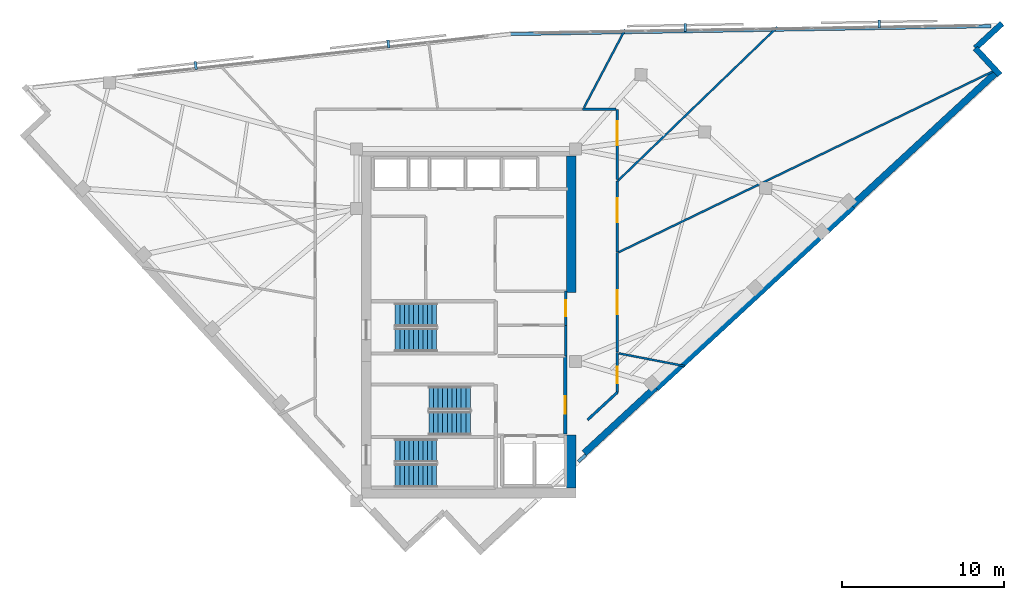
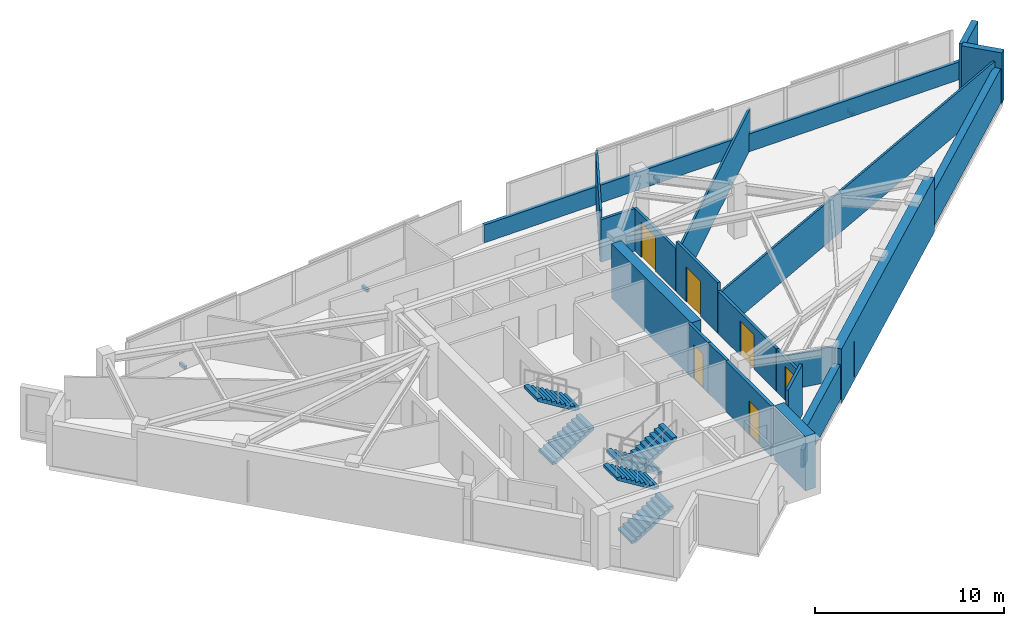
# One storey, part 9 of 11: 22 walls, 6 doors, 6 stair flights, 4 discrete accessories, 6 openings, 3 elements without a shape of their own.
"""IFC4 building model written with IfcOpenShell, lengths in metres."""

from ifc_helpers import new_model, si_unit, direction, frame, frame_2d, origin, origin_2d, place, context, subcontext, project, spatial, polyline, rectangle, outline, extrude, material, layer, layer_set, type_object, element, fill, aggregate, save


model = new_model("IFC4")

# Units and contexts
model_context = context("Model", 3, precision=1e-05, world=origin(), true_north=direction((0.0, 1.0)))
body_context = subcontext(model_context, "Body", "Model", "MODEL_VIEW")
ifc_project = project(units=[si_unit("LENGTHUNIT", "METRE"), si_unit("AREAUNIT", "SQUARE_METRE"), si_unit("VOLUMEUNIT", "CUBIC_METRE"), si_unit("PLANEANGLEUNIT", "RADIAN"), si_unit("MASSUNIT", "GRAM", prefix="KILO")], contexts=[model_context])

# Site, building, storey
site_placement = place(None, origin())
site = spatial("IfcSite", under=ifc_project, at=site_placement, CompositionType="ELEMENT")
building_placement = place(site_placement, origin())
building = spatial("IfcBuilding", under=site, at=building_placement, Name="Narakoshi Arena Tower", CompositionType="ELEMENT")
storey_placement = place(building_placement, frame((0.0, 0.0, 285.3798828125)))
storey = spatial("IfcBuildingStorey", under=building, at=storey_placement, Name="L78", CompositionType="ELEMENT", Elevation=285.3798828125)

# Walls
ifc_material_1 = material(Name="Concrete C50/60", Category="concrete")
ifc_layer_1 = layer(ifc_material_1, 0.60009765625)
ifc_layer_set_1 = layer_set([ifc_layer_1], Name="Concrete C50/60")
wall_type_1 = type_object("IfcWallType", Name="WL-CORE-600", PredefinedType="SHEAR", material=ifc_layer_set_1)
wall_1_placement = place(storey_placement, frame((85.300048828125, 35.5, -0.259765625), z_axis=(0.0, 0.0, 1.0), x_axis=(0.0, 1.0, 0.0)))
element("IfcWall", 1, at=wall_1_placement, inside=storey, type_object=wall_type_1, Name="L78 Central Core Shear Wall CW-APX-E", PredefinedType="SHEAR", context=body_context, shape_type="SweptSolid", body=[
    extrude(rectangle(XDim=3.300048828125, YDim=0.60009765625, at=frame_2d((1.64990234375, 0.0))), origin(), (0.0, 0.0, 1.0), 3.519775390625),
])
wall_2_placement = place(storey_placement, frame((85.300048828125, 47.60009765625, -0.259765625), z_axis=(0.0, 0.0, 1.0), x_axis=(0.0, 1.0, 0.0)))
element("IfcWall", 2, at=wall_2_placement, inside=storey, type_object=wall_type_1, Name="L78 Main Core Shear Wall CW-MN-E", PredefinedType="SHEAR", context=body_context, shape_type="SweptSolid", body=[
    extrude(rectangle(XDim=8.449951171875, YDim=0.60009765625, at=frame_2d((4.22509765625, 0.0))), origin(), (0.0, 0.0, 1.0), 3.519775390625),
])

# Wall, opening, door
ifc_material_2 = material(Name="Gypsum plasterboard fire-rated partition")
ifc_layer_2 = layer(ifc_material_2, 0.1650390625)
ifc_layer_set_2 = layer_set([ifc_layer_2], Name="Gypsum plasterboard fire-rated partition")
wall_type_2 = type_object("IfcWallType", Name="WL-CORR-165", PredefinedType="PARTITIONING", material=ifc_layer_set_2)
wall_3_placement = place(storey_placement, frame((84.949951171875, 45.580078125, 0.0), z_axis=(0.0, 0.0, 1.0), x_axis=(0.0, 1.0, 0.0)))
wall_3 = element("IfcWall", 3, at=wall_3_placement, inside=storey, type_object=wall_type_2, Name="L78 Core Wall CPAS-E", PredefinedType="PARTITIONING", context=body_context, shape_type="SweptSolid", body=[
    extrude(rectangle(XDim=2.119873046875, YDim=0.1650390625, at=frame_2d((1.06005859375, 0.0))), origin(), (0.0, 0.0, 1.0), 3.260009765625),
])
opening_1_placement = place(wall_3_placement, frame((0.56005859375, 0.0, 0.0)))
opening_1 = element("IfcOpeningElement", 4, at=opening_1_placement, cuts=wall_3, Name="Opening D-06", PredefinedType="OPENING", context=body_context, shape_type="SweptSolid", body=[
    extrude(rectangle(XDim=1.0, YDim=2.199951171875, at=frame_2d((0.5, 1.10009765625))), frame((0.0, 0.092529296875, 0.0), z_axis=(0.0, -1.0, 0.0), x_axis=(1.0, 0.0, 0.0)), (0.0, 0.0, 1.0), 0.18505859375),
])
ifc_material_3 = material(Name="Stained oak solid-core timber", Category="wood")
door_type_1 = type_object("IfcDoorType", Name="DR-OFF-1000", OperationType="NOTDEFINED", PredefinedType="DOOR", material=ifc_material_3)
door_1_placement = place(opening_1_placement, frame((1.0, 0.0, 0.0), z_axis=(0.0, 0.0, 1.0), x_axis=(-1.0, 0.0, 0.0)))
door_1 = element("IfcDoor", 5, at=door_1_placement, inside=storey, type_object=door_type_1, Name="DR-L78-007", OperationType="SINGLE_SWING_LEFT", OverallHeight=2.199951171875, OverallWidth=1.0, PredefinedType="DOOR", context=body_context, shape_type="SweptSolid", body=[
    extrude(rectangle(XDim=1.0, YDim=2.199951171875, at=frame_2d((0.5, 1.10009765625))), frame((0.0, 0.02490234375, 0.0), z_axis=(0.0, -1.0, 0.0), x_axis=(1.0, 0.0, 0.0)), (0.0, 0.0, 1.0), 0.050048828125),
])
fill(opening_1, door_1)

# Wall
wall_4_placement = place(storey_placement, frame((86.300048828125, 39.722412109375, 0.0), z_axis=(0.0, 0.0, 1.0), x_axis=(0.734279359658, 0.678847421724, 0.0)))
element("IfcWall", 6, at=wall_4_placement, inside=storey, type_object=wall_type_2, Name="L78 Corridor Partition 03-1", PredefinedType="PARTITIONING", context=body_context, shape_type="SweptSolid", body=[
    extrude(rectangle(XDim=2.519287109375, YDim=0.1650390625, at=frame_2d((1.259765625, 0.0))), origin(), (0.0, 0.0, 1.0), 3.260009765625),
])

# Wall, opening, door
wall_5_placement = place(storey_placement, frame((88.14990234375, 41.4326171875, 0.0), z_axis=(0.0, 0.0, 1.0), x_axis=(0.0, 1.0, 0.0)))
wall_5 = element("IfcWall", 7, at=wall_5_placement, inside=storey, type_object=wall_type_2, Name="L78 Corridor Partition 03-2", PredefinedType="PARTITIONING", context=body_context, shape_type="SweptSolid", body=[
    extrude(rectangle(XDim=2.46435546875, YDim=0.1650390625, at=frame_2d((1.232177734375, 0.0))), origin(), (0.0, 0.0, 1.0), 2.7451171875),
])
opening_2_placement = place(wall_5_placement, frame((0.572509765625, 0.0, 0.0)))
opening_2 = element("IfcOpeningElement", 8, at=opening_2_placement, cuts=wall_5, Name="Opening D-06", PredefinedType="OPENING", context=body_context, shape_type="SweptSolid", body=[
    extrude(rectangle(XDim=1.0, YDim=2.199951171875, at=frame_2d((0.5, 1.10009765625))), frame((0.0, 0.092529296875, 0.0), z_axis=(0.0, -1.0, 0.0), x_axis=(1.0, 0.0, 0.0)), (0.0, 0.0, 1.0), 0.18505859375),
])
door_2_placement = place(opening_2_placement, frame((1.0, 0.0, 0.0), z_axis=(0.0, 0.0, 1.0), x_axis=(-1.0, 0.0, 0.0)))
door_2 = element("IfcDoor", 9, at=door_2_placement, inside=storey, type_object=door_type_1, Name="DR-L78-016", OperationType="SINGLE_SWING_RIGHT", OverallHeight=2.199951171875, OverallWidth=1.0, PredefinedType="DOOR", context=body_context, shape_type="SweptSolid", body=[
    extrude(rectangle(XDim=1.0, YDim=2.199951171875, at=frame_2d((0.5, 1.10009765625))), frame((0.0, 0.02490234375, 0.0), z_axis=(0.0, -1.0, 0.0), x_axis=(1.0, 0.0, 0.0)), (0.0, 0.0, 1.0), 0.050048828125),
])
fill(opening_2, door_2)

wall_6_placement = place(storey_placement, frame((88.14990234375, 43.92138671875, 0.0), z_axis=(0.0, 0.0, 1.0), x_axis=(0.0, 1.0, 0.0)))
wall_6 = element("IfcWall", 10, at=wall_6_placement, inside=storey, type_object=wall_type_2, Name="L78 Corridor Partition 04-1", PredefinedType="PARTITIONING", context=body_context, shape_type="SweptSolid", body=[
    extrude(rectangle(XDim=6.17529296875, YDim=0.1650390625, at=frame_2d((3.087646484375, 0.0))), origin(), (0.0, 0.0, 1.0), 2.7451171875),
])
opening_3_placement = place(wall_6_placement, frame((2.337646484375, 0.0, 0.0)))
opening_3 = element("IfcOpeningElement", 11, at=opening_3_placement, cuts=wall_6, Name="Opening D-09", PredefinedType="OPENING", context=body_context, shape_type="SweptSolid", body=[
    extrude(rectangle(XDim=1.5, YDim=2.25, at=frame_2d((0.75, 1.125))), frame((0.0, 0.092529296875, 0.0), z_axis=(0.0, -1.0, 0.0), x_axis=(1.0, 0.0, 0.0)), (0.0, 0.0, 1.0), 0.18505859375),
])
ifc_material_4 = material(Name="Painted galvanized steel", Category="steel")
door_type_2 = type_object("IfcDoorType", Name="DR-PLT-1500", OperationType="DOUBLE_DOOR_SINGLE_SWING", PredefinedType="DOOR", material=ifc_material_4)
door_3_placement = place(opening_3_placement, frame((1.5, 0.0, 0.0), z_axis=(0.0, 0.0, 1.0), x_axis=(-1.0, 0.0, 0.0)))
door_3 = element("IfcDoor", 12, at=door_3_placement, inside=storey, type_object=door_type_2, Name="DR-L78-017", OperationType="DOUBLE_DOOR_SINGLE_SWING", OverallHeight=2.25, OverallWidth=1.5, PredefinedType="DOOR", context=body_context, shape_type="SweptSolid", body=[
    extrude(rectangle(XDim=1.5, YDim=2.25, at=frame_2d((0.75, 1.125))), frame((0.0, 0.02490234375, 0.0), z_axis=(0.0, -1.0, 0.0), x_axis=(1.0, 0.0, 0.0)), (0.0, 0.0, 1.0), 0.050048828125),
])
fill(opening_3, door_3)

wall_7_placement = place(storey_placement, frame((88.14990234375, 50.123291015625, 0.0), z_axis=(0.0, 0.0, 1.0), x_axis=(0.0, 1.0, 0.0)))
wall_7 = element("IfcWall", 13, at=wall_7_placement, inside=storey, type_object=wall_type_2, Name="L78 Corridor Partition 05-1", PredefinedType="PARTITIONING", context=body_context, shape_type="SweptSolid", body=[
    extrude(rectangle(XDim=4.396728515625, YDim=0.1650390625, at=frame_2d((2.1982421875, 0.0))), origin(), (0.0, 0.0, 1.0), 3.260009765625),
])
opening_4_placement = place(wall_7_placement, frame((1.822998046875, 0.0, 0.0)))
opening_4 = element("IfcOpeningElement", 14, at=opening_4_placement, cuts=wall_7, Name="Opening D-09", PredefinedType="OPENING", context=body_context, shape_type="SweptSolid", body=[
    extrude(rectangle(XDim=1.5, YDim=2.25, at=frame_2d((0.75, 1.125))), frame((0.0, 0.092529296875, 0.0), z_axis=(0.0, -1.0, 0.0), x_axis=(1.0, 0.0, 0.0)), (0.0, 0.0, 1.0), 0.18505859375),
])
door_4_placement = place(opening_4_placement, frame((1.5, 0.0, 0.0), z_axis=(0.0, 0.0, 1.0), x_axis=(-1.0, 0.0, 0.0)))
door_4 = element("IfcDoor", 15, at=door_4_placement, inside=storey, type_object=door_type_2, Name="DR-L78-018", OperationType="DOUBLE_DOOR_SINGLE_SWING", OverallHeight=2.25, OverallWidth=1.5, PredefinedType="DOOR", context=body_context, shape_type="SweptSolid", body=[
    extrude(rectangle(XDim=1.5, YDim=2.25, at=frame_2d((0.75, 1.125))), frame((0.0, 0.02490234375, 0.0), z_axis=(0.0, -1.0, 0.0), x_axis=(1.0, 0.0, 0.0)), (0.0, 0.0, 1.0), 0.050048828125),
])
fill(opening_4, door_4)

wall_8_placement = place(storey_placement, frame((88.14990234375, 54.5966796875, 0.0), z_axis=(0.0, 0.0, 1.0), x_axis=(0.0, 1.0, 0.0)))
wall_8 = element("IfcWall", 16, at=wall_8_placement, inside=storey, type_object=wall_type_2, Name="L78 Corridor Partition 06-1", PredefinedType="PARTITIONING", context=body_context, shape_type="SweptSolid", body=[
    extrude(rectangle(XDim=4.353271484375, YDim=0.1650390625, at=frame_2d((2.1767578125, 0.0))), origin(), (0.0, 0.0, 1.0), 2.7451171875),
])
opening_5_placement = place(wall_8_placement, frame((2.113525390625, 0.0, 0.0)))
opening_5 = element("IfcOpeningElement", 17, at=opening_5_placement, cuts=wall_8, Name="Opening D-09", PredefinedType="OPENING", context=body_context, shape_type="SweptSolid", body=[
    extrude(rectangle(XDim=1.5, YDim=2.25, at=frame_2d((0.75, 1.125))), frame((0.0, 0.092529296875, 0.0), z_axis=(0.0, -1.0, 0.0), x_axis=(1.0, 0.0, 0.0)), (0.0, 0.0, 1.0), 0.18505859375),
])
door_5_placement = place(opening_5_placement, frame((1.5, 0.0, 0.0), z_axis=(0.0, 0.0, 1.0), x_axis=(-1.0, 0.0, 0.0)))
door_5 = element("IfcDoor", 18, at=door_5_placement, inside=storey, type_object=door_type_2, Name="DR-L78-019", OperationType="DOUBLE_DOOR_SINGLE_SWING", OverallHeight=2.25, OverallWidth=1.5, PredefinedType="DOOR", context=body_context, shape_type="SweptSolid", body=[
    extrude(rectangle(XDim=1.5, YDim=2.25, at=frame_2d((0.75, 1.125))), frame((0.0, 0.02490234375, 0.0), z_axis=(0.0, -1.0, 0.0), x_axis=(1.0, 0.0, 0.0)), (0.0, 0.0, 1.0), 0.050048828125),
])
fill(opening_5, door_5)

# Walls
wall_9_placement = place(storey_placement, frame((88.055419921875, 58.949951171875, 0.0), z_axis=(0.0, 0.0, 1.0), x_axis=(-1.0, 0.0, 0.0)))
element("IfcWall", 19, at=wall_9_placement, inside=storey, type_object=wall_type_2, Name="L78 Corridor Partition 06-2", PredefinedType="PARTITIONING", context=body_context, shape_type="SweptSolid", body=[
    extrude(rectangle(XDim=2.068603515625, YDim=0.1650390625, at=frame_2d((1.0341796875, 0.0))), origin(), (0.0, 0.0, 1.0), 2.7451171875),
])
ifc_layer_3 = layer(ifc_material_1, 0.550048828125)
ifc_layer_set_3 = layer_set([ifc_layer_3], Name="Concrete C50/60")
wall_type_3 = type_object("IfcWallType", Name="WL-LEG-550", PredefinedType="SHEAR", material=ifc_layer_set_3)
wall_10_placement = place(storey_placement, frame((90.5078125, 41.739501953125, -0.259765625), z_axis=(0.0, 0.0, 1.0), x_axis=(0.734315848115, 0.678807951638, 0.0)))
element("IfcWall", 20, at=wall_10_placement, inside=storey, type_object=wall_type_3, Name="L78 Architectural Concrete Structural Wall LEGA-3", PredefinedType="SHEAR", context=body_context, shape_type="SweptSolid", body=[
    extrude(rectangle(XDim=16.57275390625, YDim=0.550048828125, at=frame_2d((8.286376953125, 0.0))), origin(), (0.0, 0.0, 1.0), 3.519775390625),
])
ifc_material_5 = material(Name="Precast concrete C45/55", Category="concrete")
ifc_layer_4 = layer(ifc_material_5, 0.25)
ifc_layer_set_4 = layer_set([ifc_layer_4], Name="Precast concrete C45/55")
wall_type_4 = type_object("IfcWallType", Name="WL-PARA-250", PredefinedType="PARAPET", material=ifc_layer_set_4)
wall_11_placement = place(storey_placement, frame((111.2705078125, 64.091796875, 0.0), z_axis=(0.0, 0.0, 1.0), x_axis=(-0.999864741935, -0.016446818413, 0.0)))
element("IfcWall", 21, at=wall_11_placement, inside=storey, type_object=wall_type_4, Name="L78 Hypotenuse Sill Upstand Parapet 1-01", PredefinedType="PARAPET", context=body_context, shape_type="SweptSolid", body=[
    extrude(rectangle(XDim=29.73291015625, YDim=0.199951171875, at=frame_2d((14.866455078125, 0.0))), origin(), (0.0, 0.0, 1.0), 1.150146484375),
])
wall_12_placement = place(storey_placement, frame((86.191650390625, 37.56591796875, 0.0), z_axis=(0.0, 0.0, 1.0), x_axis=(-0.734346728958, -0.678774544064, 0.0)))
element("IfcWall", 22, at=wall_12_placement, inside=storey, type_object=wall_type_4, Name="L78 Crown Sill Upstand Parapet 03", PredefinedType="PARAPET", context=body_context, shape_type="SweptSolid", body=[
    extrude(rectangle(XDim=0.614990234375, YDim=0.199951171875, at=frame_2d((0.3076171875, 0.0))), origin(), (0.0, 0.0, 1.0), 1.150146484375),
])
ifc_layer_5 = layer(ifc_material_2, 0.125)
ifc_layer_set_5 = layer_set([ifc_layer_5], Name="Gypsum plasterboard fire-rated partition")
wall_type_5 = type_object("IfcWallType", Name="WL-PART-125", PredefinedType="PARTITIONING", material=ifc_layer_set_5)
wall_13_placement = place(storey_placement, frame((88.244384765625, 43.84228515625, 0.0), z_axis=(0.0, 0.0, 1.0), x_axis=(0.98197048517, -0.18903429915, 0.0)))
element("IfcWall", 23, at=wall_13_placement, inside=storey, type_object=wall_type_5, Name="L78 Inter-Room Partition 03-04", PredefinedType="PARTITIONING", context=body_context, shape_type="SweptSolid", body=[
    extrude(rectangle(XDim=4.16650390625, YDim=0.125, at=frame_2d((2.083251953125, 0.0))), origin(), (0.0, 0.0, 1.0), 2.2451171875),
])
wall_14_placement = place(storey_placement, frame((88.218994140625, 50.0966796875, 0.0), z_axis=(0.0, 0.0, 1.0), x_axis=(0.900365129027, 0.435135190983, 0.0)))
element("IfcWall", 24, at=wall_14_placement, inside=storey, type_object=wall_type_5, Name="L78 Inter-Room Partition 04-05", PredefinedType="PARTITIONING", context=body_context, shape_type="SweptSolid", body=[
    extrude(rectangle(XDim=25.919189453125, YDim=0.125, at=frame_2d((12.95947265625, 0.0))), origin(), (0.0, 0.0, 1.0), 2.64501953125),
])
wall_15_placement = place(storey_placement, frame((88.177734375, 54.52001953125, 0.0), z_axis=(0.0, 0.0, 1.0), x_axis=(0.719824269211, 0.694156337906, 0.0)))
element("IfcWall", 25, at=wall_15_placement, inside=storey, type_object=wall_type_5, Name="L78 Inter-Room Partition 05-06", PredefinedType="PARTITIONING", context=body_context, shape_type="SweptSolid", body=[
    extrude(rectangle(XDim=13.7060546875, YDim=0.125, at=frame_2d((6.85302734375, 0.0))), origin(), (0.0, 0.0, 1.0), 2.64501953125),
])
wall_16_placement = place(storey_placement, frame((86.077392578125, 59.04443359375, 0.0), z_axis=(0.0, 0.0, 1.0), x_axis=(0.465915837384, 0.884829041383, 0.0)))
element("IfcWall", 26, at=wall_16_placement, inside=storey, type_object=wall_type_5, Name="L78 Inter-Room Partition 06-07", PredefinedType="PARTITIONING", context=body_context, shape_type="SweptSolid", body=[
    extrude(rectangle(XDim=5.46435546875, YDim=0.125, at=frame_2d((2.732177734375, 0.0))), origin(), (0.0, 0.0, 1.0), 3.260009765625),
])
ifc_layer_6 = layer(ifc_material_5, 0.419921875)
ifc_layer_set_6 = layer_set([ifc_layer_6], Name="Precast concrete C45/55")
wall_type_6 = type_object("IfcWallType", Name="WL-POD-420", PredefinedType="SOLIDWALL", material=ifc_layer_set_6)
wall_17_placement = place(storey_placement, frame((86.10009765625, 37.6650390625, 0.0), z_axis=(0.0, 0.0, 1.0), x_axis=(0.734321413343, 0.678801931277, 0.0)))
element("IfcWall", 27, at=wall_17_placement, inside=storey, type_object=wall_type_6, Name="L78 Architectural Concrete Facade Wall LEGA-2", PredefinedType="SOLIDWALL", context=body_context, shape_type="SweptSolid", body=[
    extrude(rectangle(XDim=6.00244140625, YDim=0.419921875, at=frame_2d((3.001220703125, 0.0))), origin(), (0.0, 0.0, 1.0), 2.2451171875),
])
wall_18_placement = place(storey_placement, frame((102.677490234375, 52.9892578125, 0.0), z_axis=(0.0, 0.0, 1.0), x_axis=(0.734331107219, 0.678791444386, 0.0)))
element("IfcWall", 28, at=wall_18_placement, inside=storey, type_object=wall_type_6, Name="L78 Architectural Concrete Facade Wall LEGA-4", PredefinedType="SOLIDWALL", context=body_context, shape_type="SweptSolid", body=[
    extrude(rectangle(XDim=12.21142578125, YDim=0.419921875, at=frame_2d((6.105712890625, 0.0))), origin(), (0.0, 0.0, 1.0), 2.2451171875),
])
for number, where, z_axis, x_axis, name in (
    (29, (111.83154296875, 61.076416015625, 0.0), (0.0, 0.0, 1.0), (-0.678792531533, 0.734330102294, 0.0), "L78 Re-Entrant Corner Notch Wall NTE-1"),
    (30, (110.30078125, 62.732421875, 0.0), (0.0, 0.0, 1.0), (0.734330102294, 0.678792531533, 0.0), "L78 Re-Entrant Corner Notch Wall NTE-2"),
):
    element("IfcWall", number, at=place(storey_placement, frame(where, z_axis=z_axis, x_axis=x_axis)), inside=storey, type_object=wall_type_6, Name=name, PredefinedType="SOLIDWALL", context=body_context, shape_type="SweptSolid", body=[
        extrude(rectangle(XDim=2.255126953125, YDim=0.360107421875, at=frame_2d((1.12744140625, 0.0))), origin(), (0.0, 0.0, 1.0), 3.260009765625),
    ])
ifc_material_6 = material(Name="Concrete C40/50", Category="concrete")
ifc_layer_7 = layer(ifc_material_6, 0.280029296875)
ifc_layer_set_7 = layer_set([ifc_layer_7], Name="Concrete C40/50")
wall_type_7 = type_object("IfcWallType", Name="WL-RISER-280", PredefinedType="PLUMBINGWALL", material=ifc_layer_set_7)
wall_19_placement = place(storey_placement, frame((84.949951171875, 43.679931640625, 0.0), z_axis=(0.0, 0.0, 1.0), x_axis=(0.0, 1.0, 0.0)))
element("IfcWall", 31, at=wall_19_placement, inside=storey, type_object=wall_type_7, Name="L78 Core Wall RSR-E", PredefinedType="PLUMBINGWALL", context=body_context, shape_type="SweptSolid", body=[
    extrude(rectangle(XDim=1.900146484375, YDim=0.1650390625, at=frame_2d((0.9501953125, 0.0))), origin(), (0.0, 0.0, 1.0), 3.260009765625),
])

# Wall, opening, door
ifc_layer_8 = layer(ifc_material_1, 0.35009765625)
ifc_layer_set_8 = layer_set([ifc_layer_8], Name="Concrete C50/60")
wall_type_8 = type_object("IfcWallType", Name="WL-SHAFT-350", PredefinedType="SOLIDWALL", material=ifc_layer_set_8)
wall_20_placement = place(storey_placement, frame((84.919921875, 38.85009765625, 0.0), z_axis=(0.0, 0.0, 1.0), x_axis=(0.0, 1.0, 0.0)))
wall_20 = element("IfcWall", 32, at=wall_20_placement, inside=storey, type_object=wall_type_8, Name="L78 Core Wall FFLOB-E", PredefinedType="SOLIDWALL", context=body_context, shape_type="SweptSolid", body=[
    extrude(rectangle(XDim=4.829833984375, YDim=0.199951171875, at=frame_2d((2.4150390625, 0.0))), origin(), (0.0, 0.0, 1.0), 3.260009765625),
])
opening_6_placement = place(wall_20_placement, frame((1.25, 0.0, 0.0)))
opening_6 = element("IfcOpeningElement", 33, at=opening_6_placement, cuts=wall_20, Name="Opening D-04", PredefinedType="OPENING", context=body_context, shape_type="SweptSolid", body=[
    extrude(rectangle(XDim=1.10009765625, YDim=2.199951171875, at=frame_2d((0.550048828125, 1.10009765625))), frame((0.0, 0.10986328125, 0.0), z_axis=(0.0, -1.0, 0.0), x_axis=(1.0, 0.0, 0.0)), (0.0, 0.0, 1.0), 0.219970703125),
])
door_type_3 = type_object("IfcDoorType", Name="DR-FFL-1100", OperationType="NOTDEFINED", PredefinedType="DOOR", material=ifc_material_4)
door_6_placement = place(opening_6_placement, frame((1.10009765625, 0.0, 0.0), z_axis=(0.0, 0.0, 1.0), x_axis=(-1.0, 0.0, 0.0)))
door_6 = element("IfcDoor", 34, at=door_6_placement, inside=storey, type_object=door_type_3, Name="DR-L78-005", OperationType="SINGLE_SWING_RIGHT", OverallHeight=2.199951171875, OverallWidth=1.10009765625, PredefinedType="DOOR", context=body_context, shape_type="SweptSolid", body=[
    extrude(rectangle(XDim=1.10009765625, YDim=2.199951171875, at=frame_2d((0.550048828125, 1.10009765625))), frame((0.0, 0.02490234375, 0.0), z_axis=(0.0, -1.0, 0.0), x_axis=(1.0, 0.0, 0.0)), (0.0, 0.0, 1.0), 0.050048828125),
])
fill(opening_6, door_6)

# Stair, stair flights
ifc_material_7 = material(Name="Concrete C45/55", Category="concrete")
stair_type = type_object("IfcStairType", Name="STR-CORE-352", PredefinedType="TWO_STRAIGHT_RUN_STAIR", material=ifc_material_7)
stair_1_placement = place(storey_placement, origin())
stair_1 = element("IfcStair", 35, at=stair_1_placement, inside=storey, type_object=stair_type, Name="L78 Core Escape Stair ST1", PredefinedType="TWO_STRAIGHT_RUN_STAIR")
stair_flight_type = type_object("IfcStairFlightType", Name="FLT-145-160", PredefinedType="STRAIGHT", material=ifc_material_5)
stair_flight_1_placement = place(storey_placement, frame((74.39990234375, 36.27490234375, 0.0), z_axis=(0.0, 0.0, 1.0), x_axis=(1.0, 0.0, 0.0)))
stair_flight_1 = element("IfcStairFlight", 36, at=stair_flight_1_placement, type_object=stair_flight_type, Name="ST1 flight 1", NumberOfRisers=10, NumberOfTreads=9, PredefinedType="STRAIGHT", RiserHeight=0.176, TreadLength=0.285, context=body_context, shape_type="SweptSolid", body=[
    extrude(outline(polyline([(0.0, 0.0), (0.0, 0.176025390625), (0.284912109375, 0.176025390625), (0.284912109375, 0.35205078125), (0.570068359375, 0.35205078125), (0.570068359375, 0.528076171875), (0.85498046875, 0.528076171875), (0.85498046875, 0.7041015625), (1.139892578125, 0.7041015625), (1.139892578125, 0.8798828125), (1.425048828125, 0.8798828125), (1.425048828125, 1.055908203125), (1.7099609375, 1.055908203125), (1.7099609375, 1.23193359375), (1.9951171875, 1.23193359375), (1.9951171875, 1.407958984375), (2.280029296875, 1.407958984375), (2.280029296875, 1.583984375), (2.56494140625, 1.583984375), (2.56494140625, 1.760009765625), (2.56494140625, 1.40771484375), (0.285400390625, 0.0), (0.0, 0.0)])), frame((0.0, 0.72509765625, 0.0), z_axis=(0.0, -1.0, 0.0), x_axis=(1.0, 0.0, 0.0)), (0.0, 0.0, 1.0), 1.449951171875),
])
stair_flight_2_placement = place(storey_placement, frame((76.965087890625, 37.824951171875, 1.760009765625), z_axis=(0.0, 0.0, 1.0), x_axis=(-1.0, 0.0, 0.0)))
stair_flight_2 = element("IfcStairFlight", 37, at=stair_flight_2_placement, type_object=stair_flight_type, Name="ST1 flight 2", NumberOfRisers=10, NumberOfTreads=9, PredefinedType="STRAIGHT", RiserHeight=0.176, TreadLength=0.285, context=body_context, shape_type="SweptSolid", body=[
    extrude(outline(polyline([(0.0, 0.0), (0.0, 0.176025390625), (0.284912109375, 0.176025390625), (0.284912109375, 0.35205078125), (0.570068359375, 0.35205078125), (0.570068359375, 0.528076171875), (0.85498046875, 0.528076171875), (0.85498046875, 0.7041015625), (1.139892578125, 0.7041015625), (1.139892578125, 0.8798828125), (1.425048828125, 0.8798828125), (1.425048828125, 1.055908203125), (1.7099609375, 1.055908203125), (1.7099609375, 1.23193359375), (1.9951171875, 1.23193359375), (1.9951171875, 1.407958984375), (2.280029296875, 1.407958984375), (2.280029296875, 1.583984375), (2.56494140625, 1.583984375), (2.56494140625, 1.760009765625), (2.56494140625, 1.40771484375), (0.285400390625, 0.0), (0.0, 0.0)])), frame((0.0, 0.72509765625, 0.0), z_axis=(0.0, -1.0, 0.0), x_axis=(1.0, 0.0, 0.0)), (0.0, 0.0, 1.0), 1.449951171875),
])
aggregate(stair_1, [stair_flight_1, stair_flight_2])

stair_2_placement = place(storey_placement, origin())
stair_2 = element("IfcStair", 38, at=stair_2_placement, inside=storey, type_object=stair_type, Name="L78 Core Escape Stair ST2", PredefinedType="TWO_STRAIGHT_RUN_STAIR")
stair_flight_3_placement = place(storey_placement, frame((79.050048828125, 41.074951171875, 0.0), z_axis=(0.0, 0.0, 1.0), x_axis=(-1.0, 0.0, 0.0)))
stair_flight_3 = element("IfcStairFlight", 39, at=stair_flight_3_placement, type_object=stair_flight_type, Name="ST2 flight 1", NumberOfRisers=10, NumberOfTreads=9, PredefinedType="STRAIGHT", RiserHeight=0.176, TreadLength=0.285, context=body_context, shape_type="SweptSolid", body=[
    extrude(outline(polyline([(0.0, 0.0), (0.0, 0.176025390625), (0.284912109375, 0.176025390625), (0.284912109375, 0.35205078125), (0.570068359375, 0.35205078125), (0.570068359375, 0.528076171875), (0.85498046875, 0.528076171875), (0.85498046875, 0.7041015625), (1.139892578125, 0.7041015625), (1.139892578125, 0.8798828125), (1.425048828125, 0.8798828125), (1.425048828125, 1.055908203125), (1.7099609375, 1.055908203125), (1.7099609375, 1.23193359375), (1.9951171875, 1.23193359375), (1.9951171875, 1.407958984375), (2.280029296875, 1.407958984375), (2.280029296875, 1.583984375), (2.56494140625, 1.583984375), (2.56494140625, 1.760009765625), (2.56494140625, 1.40771484375), (0.285400390625, 0.0), (0.0, 0.0)])), frame((0.0, 0.72509765625, 0.0), z_axis=(0.0, -1.0, 0.0), x_axis=(1.0, 0.0, 0.0)), (0.0, 0.0, 1.0), 1.449951171875),
])
stair_flight_4_placement = place(storey_placement, frame((76.485107421875, 39.52490234375, 1.760009765625), z_axis=(0.0, 0.0, 1.0), x_axis=(1.0, 0.0, 0.0)))
stair_flight_4 = element("IfcStairFlight", 40, at=stair_flight_4_placement, type_object=stair_flight_type, Name="ST2 flight 2", NumberOfRisers=10, NumberOfTreads=9, PredefinedType="STRAIGHT", RiserHeight=0.176, TreadLength=0.285, context=body_context, shape_type="SweptSolid", body=[
    extrude(outline(polyline([(0.0, 0.0), (0.0, 0.176025390625), (0.284912109375, 0.176025390625), (0.284912109375, 0.35205078125), (0.570068359375, 0.35205078125), (0.570068359375, 0.528076171875), (0.85498046875, 0.528076171875), (0.85498046875, 0.7041015625), (1.139892578125, 0.7041015625), (1.139892578125, 0.8798828125), (1.425048828125, 0.8798828125), (1.425048828125, 1.055908203125), (1.7099609375, 1.055908203125), (1.7099609375, 1.23193359375), (1.9951171875, 1.23193359375), (1.9951171875, 1.407958984375), (2.280029296875, 1.407958984375), (2.280029296875, 1.583984375), (2.56494140625, 1.583984375), (2.56494140625, 1.760009765625), (2.56494140625, 1.40771484375), (0.285400390625, 0.0), (0.0, 0.0)])), frame((0.0, 0.72509765625, 0.0), z_axis=(0.0, -1.0, 0.0), x_axis=(1.0, 0.0, 0.0)), (0.0, 0.0, 1.0), 1.449951171875),
])
aggregate(stair_2, [stair_flight_3, stair_flight_4])

stair_3_placement = place(storey_placement, origin())
stair_3 = element("IfcStair", 41, at=stair_3_placement, inside=storey, type_object=stair_type, Name="L78 Core Escape Stair ST3", PredefinedType="TWO_STRAIGHT_RUN_STAIR")
stair_flight_5_placement = place(storey_placement, frame((74.39990234375, 44.675048828125, 0.0), z_axis=(0.0, 0.0, 1.0), x_axis=(1.0, 0.0, 0.0)))
stair_flight_5 = element("IfcStairFlight", 42, at=stair_flight_5_placement, type_object=stair_flight_type, Name="ST3 flight 1", NumberOfRisers=10, NumberOfTreads=9, PredefinedType="STRAIGHT", RiserHeight=0.176, TreadLength=0.285, context=body_context, shape_type="SweptSolid", body=[
    extrude(outline(polyline([(0.0, 0.0), (0.0, 0.176025390625), (0.284912109375, 0.176025390625), (0.284912109375, 0.35205078125), (0.570068359375, 0.35205078125), (0.570068359375, 0.528076171875), (0.85498046875, 0.528076171875), (0.85498046875, 0.7041015625), (1.139892578125, 0.7041015625), (1.139892578125, 0.8798828125), (1.425048828125, 0.8798828125), (1.425048828125, 1.055908203125), (1.7099609375, 1.055908203125), (1.7099609375, 1.23193359375), (1.9951171875, 1.23193359375), (1.9951171875, 1.407958984375), (2.280029296875, 1.407958984375), (2.280029296875, 1.583984375), (2.56494140625, 1.583984375), (2.56494140625, 1.760009765625), (2.56494140625, 1.40771484375), (0.285400390625, 0.0), (0.0, 0.0)])), frame((0.0, 0.72509765625, 0.0), z_axis=(0.0, -1.0, 0.0), x_axis=(1.0, 0.0, 0.0)), (0.0, 0.0, 1.0), 1.449951171875),
])
stair_flight_6_placement = place(storey_placement, frame((76.965087890625, 46.22509765625, 1.760009765625), z_axis=(0.0, 0.0, 1.0), x_axis=(-1.0, 0.0, 0.0)))
stair_flight_6 = element("IfcStairFlight", 43, at=stair_flight_6_placement, type_object=stair_flight_type, Name="ST3 flight 2", NumberOfRisers=10, NumberOfTreads=9, PredefinedType="STRAIGHT", RiserHeight=0.176, TreadLength=0.285, context=body_context, shape_type="SweptSolid", body=[
    extrude(outline(polyline([(0.0, 0.0), (0.0, 0.176025390625), (0.284912109375, 0.176025390625), (0.284912109375, 0.35205078125), (0.570068359375, 0.35205078125), (0.570068359375, 0.528076171875), (0.85498046875, 0.528076171875), (0.85498046875, 0.7041015625), (1.139892578125, 0.7041015625), (1.139892578125, 0.8798828125), (1.425048828125, 0.8798828125), (1.425048828125, 1.055908203125), (1.7099609375, 1.055908203125), (1.7099609375, 1.23193359375), (1.9951171875, 1.23193359375), (1.9951171875, 1.407958984375), (2.280029296875, 1.407958984375), (2.280029296875, 1.583984375), (2.56494140625, 1.583984375), (2.56494140625, 1.760009765625), (2.56494140625, 1.40771484375), (0.285400390625, 0.0), (0.0, 0.0)])), frame((0.0, 0.72509765625, 0.0), z_axis=(0.0, -1.0, 0.0), x_axis=(1.0, 0.0, 0.0)), (0.0, 0.0, 1.0), 1.449951171875),
])
aggregate(stair_3, [stair_flight_5, stair_flight_6])

# Discrete accessories
ifc_material_8 = material(Name="Structural steel S355J2", Category="steel")
discrete_accessory_type = type_object("IfcDiscreteAccessoryType", Name="ACC-BRK-SCR", PredefinedType="BRACKET", material=ifc_material_8)
for number, where, z_axis, x_axis, name in (
    (44, (104.3564453125, 64.218017578125, -0.080078125), (0.0, 0.0, 1.0), (-0.999864849778, -0.016440260879, 0.0), "L78 Solar Screen Support Bracket SHD-L78-PLV1-1"),
    (45, (92.35791015625, 64.020751953125, -0.080078125), (0.0, 0.0, 1.0), (-0.999864849778, -0.016440260879, 0.0), "L78 Solar Screen Support Bracket SHD-L78-PLV1-2"),
    (46, (73.977294921875, 62.99560546875, -0.080078125), (0.0, 0.0, 1.0), (-0.993775698738, -0.111399553846, 0.0), "L78 Solar Screen Support Bracket SHD-L78-PLV2-1"),
    (47, (62.052001953125, 61.658935546875, -0.080078125), (0.0, 0.0, 1.0), (-0.993775698738, -0.111399553846, 0.0), "L78 Solar Screen Support Bracket SHD-L78-PLV2-2"),
):
    element("IfcDiscreteAccessory", number, at=place(storey_placement, frame(where, z_axis=z_axis, x_axis=x_axis)), inside=storey, type_object=discrete_accessory_type, Name=name, PredefinedType="BRACKET", context=body_context, shape_type="SweptSolid", body=[
        extrude(rectangle(XDim=0.159912109375, YDim=0.5, at=origin_2d()), origin(), (0.0, 0.0, 1.0), 0.199951171875),
    ])

save(model, "model.ifc")
